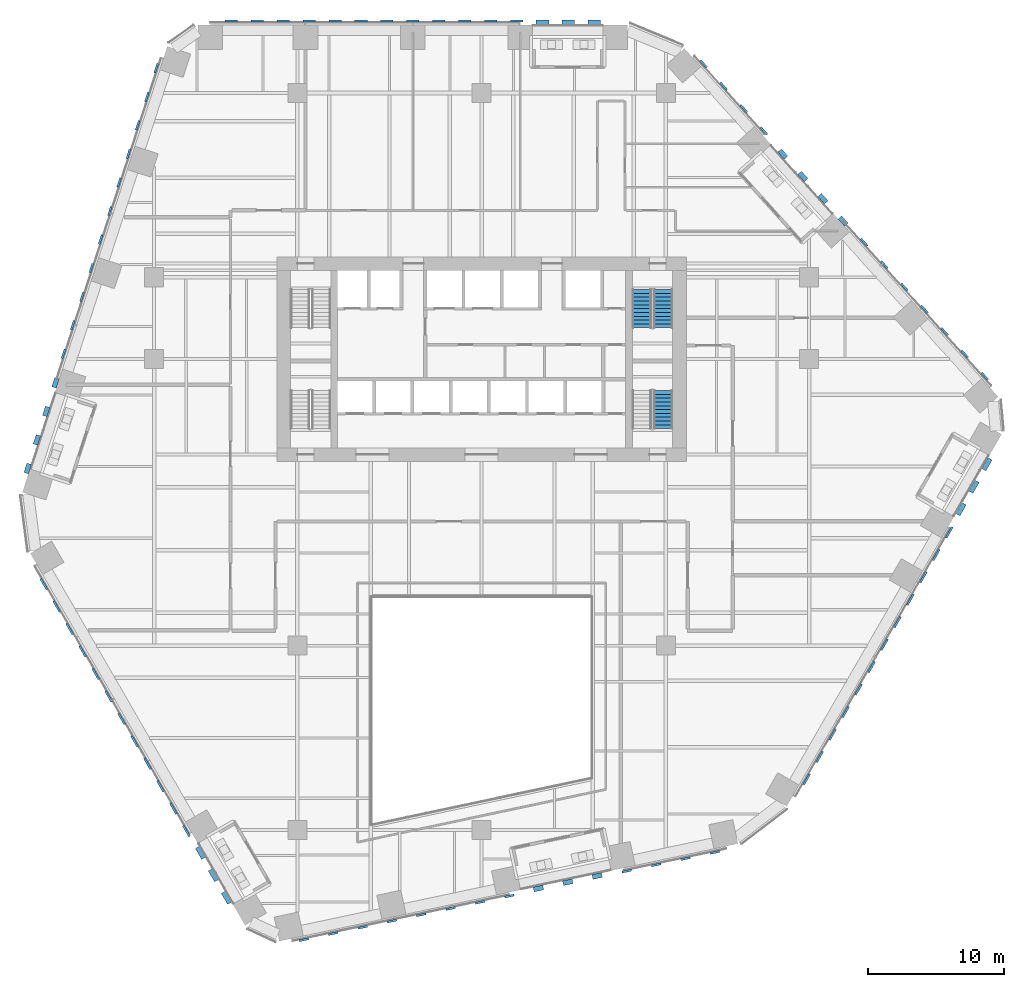
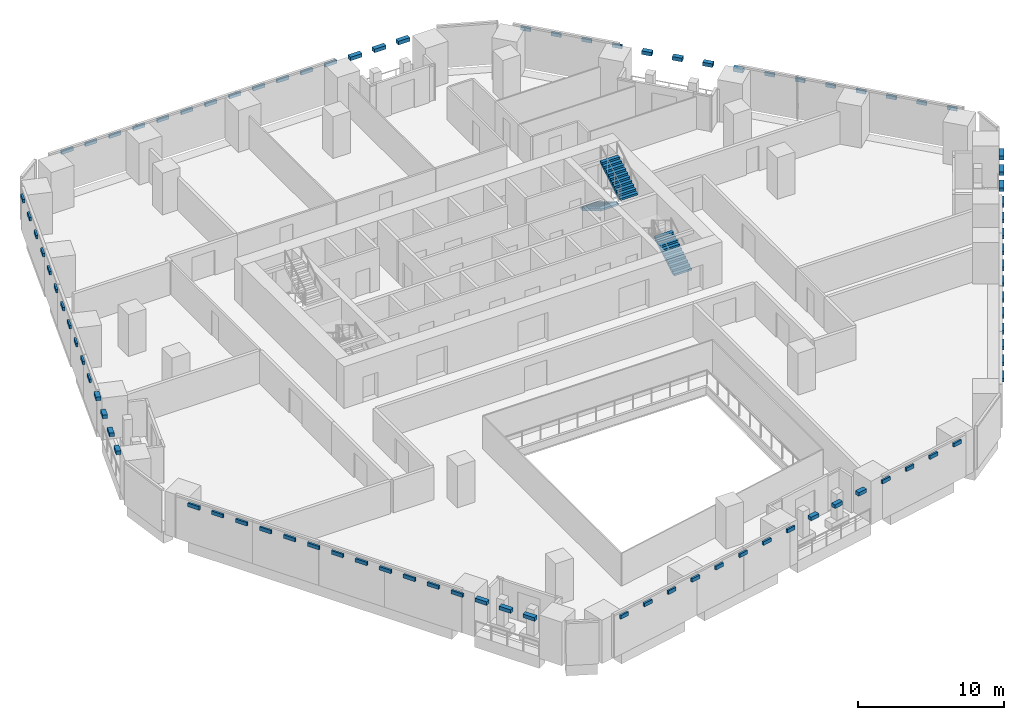
# One storey, part 26 of 31: 90 discrete accessories, 3 stair flights, 2 elements without a shape of their own.
"""IFC4 building model written with IfcOpenShell, lengths in metres."""

from ifc_helpers import new_model, si_unit, direction, frame, origin, origin_2d, place, context, subcontext, project, spatial, polyline, rectangle, outline, extrude, material, type_object, element, aggregate, save


model = new_model("IFC4")

# Units and contexts
model_context = context("Model", 3, precision=1e-05, world=origin(), true_north=direction((0.0, 1.0)))
body_context = subcontext(model_context, "Body", "Model", "MODEL_VIEW")
ifc_project = project(units=[si_unit("LENGTHUNIT", "METRE"), si_unit("AREAUNIT", "SQUARE_METRE"), si_unit("VOLUMEUNIT", "CUBIC_METRE"), si_unit("PLANEANGLEUNIT", "RADIAN"), si_unit("MASSUNIT", "GRAM", prefix="KILO")], contexts=[model_context])

# Site, building, storey
site_placement = place(None, origin())
site = spatial("IfcSite", under=ifc_project, at=site_placement, CompositionType="ELEMENT")
building_placement = place(site_placement, origin())
building = spatial("IfcBuilding", under=site, at=building_placement, Name="Isthmus Gate Tower", CompositionType="ELEMENT")
storey_placement = place(building_placement, frame((0.0, 0.0, 39.64990234375)))
storey = spatial("IfcBuildingStorey", under=building, at=storey_placement, Name="L07", CompositionType="ELEMENT", Elevation=39.64990234375)

# Stair, stair flights
ifc_material_1 = material(Name="Concrete f'c 40 MPa", Category="concrete")
stair_type = type_object("IfcStairType", Name="CORE STAIR 22 RISERS", PredefinedType="HALF_TURN_STAIR", material=ifc_material_1)
stair_1_placement = place(storey_placement, origin())
stair_1 = element("IfcStair", 1, at=stair_1_placement, inside=storey, type_object=stair_type, Name="L07 Exit Stair 2", PredefinedType="HALF_TURN_STAIR")
ifc_material_2 = material(Name="Concrete f'c 40 MPa", Category="concrete")
stair_flight_type = type_object("IfcStairFlightType", Name="STAIR FLIGHT RC 1400", PredefinedType="STRAIGHT", material=ifc_material_2)
stair_flight_1_placement = place(storey_placement, frame((11.75, 12.60009765625, 0.0), z_axis=(0.0, 0.0, 1.0), x_axis=(0.0, -1.0, 0.0)))
stair_flight_1 = element("IfcStairFlight", 2, at=stair_flight_1_placement, type_object=stair_flight_type, Name="ST2 flight 1", NumberOfRisers=11, NumberOfTreads=10, PredefinedType="STRAIGHT", RiserHeight=0.165909091, TreadLength=0.28, context=body_context, shape_type="SweptSolid", body=[
    extrude(outline(polyline([(0.0, 0.0), (0.0, 0.166015625), (0.280029296875, 0.166015625), (0.280029296875, 0.331787109375), (0.56005859375, 0.331787109375), (0.56005859375, 0.497802734375), (0.840087890625, 0.497802734375), (0.840087890625, 0.66357421875), (1.1201171875, 0.66357421875), (1.1201171875, 0.82958984375), (1.39990234375, 0.82958984375), (1.39990234375, 0.995361328125), (1.679931640625, 0.995361328125), (1.679931640625, 1.161376953125), (1.9599609375, 1.161376953125), (1.9599609375, 1.327392578125), (2.239990234375, 1.327392578125), (2.239990234375, 1.4931640625), (2.52001953125, 1.4931640625), (2.52001953125, 1.6591796875), (2.800048828125, 1.6591796875), (2.800048828125, 1.824951171875), (2.800048828125, 1.48486328125), (0.2939453125, 0.0), (0.0, 0.0)])), frame((0.0, 0.699951171875, 0.0), z_axis=(0.0, -1.0, 0.0), x_axis=(1.0, 0.0, 0.0)), (0.0, 0.0, 1.0), 1.39990234375),
])
stair_flight_2_placement = place(storey_placement, frame((13.300048828125, 9.800048828125, 1.8251953125), z_axis=(0.0, 0.0, 1.0), x_axis=(0.0, 1.0, 0.0)))
stair_flight_2 = element("IfcStairFlight", 3, at=stair_flight_2_placement, type_object=stair_flight_type, Name="ST2 flight 2", NumberOfRisers=11, NumberOfTreads=10, PredefinedType="STRAIGHT", RiserHeight=0.165909091, TreadLength=0.28, context=body_context, shape_type="SweptSolid", body=[
    extrude(outline(polyline([(0.0, 0.0), (0.0, 0.166015625), (0.280029296875, 0.166015625), (0.280029296875, 0.331787109375), (0.56005859375, 0.331787109375), (0.56005859375, 0.497802734375), (0.840087890625, 0.497802734375), (0.840087890625, 0.66357421875), (1.1201171875, 0.66357421875), (1.1201171875, 0.82958984375), (1.39990234375, 0.82958984375), (1.39990234375, 0.995361328125), (1.679931640625, 0.995361328125), (1.679931640625, 1.161376953125), (1.9599609375, 1.161376953125), (1.9599609375, 1.327392578125), (2.239990234375, 1.327392578125), (2.239990234375, 1.4931640625), (2.52001953125, 1.4931640625), (2.52001953125, 1.6591796875), (2.800048828125, 1.6591796875), (2.800048828125, 1.824951171875), (2.800048828125, 1.48486328125), (0.2939453125, 0.0), (0.0, 0.0)])), frame((0.0, 0.699951171875, 0.0), z_axis=(0.0, -1.0, 0.0), x_axis=(1.0, 0.0, 0.0)), (0.0, 0.0, 1.0), 1.39990234375),
])
aggregate(stair_1, [stair_flight_1, stair_flight_2])

# Stair, stair flight
stair_2_placement = place(storey_placement, origin())
stair_2 = element("IfcStair", 4, at=stair_2_placement, inside=storey, type_object=stair_type, Name="L07 Exit Stair 8", PredefinedType="HALF_TURN_STAIR")
stair_flight_3_placement = place(storey_placement, frame((13.300048828125, 2.39990234375, 0.0), z_axis=(0.0, 0.0, 1.0), x_axis=(0.0, 1.0, 0.0)))
stair_flight_3 = element("IfcStairFlight", 5, at=stair_flight_3_placement, type_object=stair_flight_type, Name="ST8 flight 1", NumberOfRisers=11, NumberOfTreads=10, PredefinedType="STRAIGHT", RiserHeight=0.165909091, TreadLength=0.28, context=body_context, shape_type="SweptSolid", body=[
    extrude(outline(polyline([(0.0, 0.0), (0.0, 0.166015625), (0.280029296875, 0.166015625), (0.280029296875, 0.331787109375), (0.56005859375, 0.331787109375), (0.56005859375, 0.497802734375), (0.840087890625, 0.497802734375), (0.840087890625, 0.66357421875), (1.1201171875, 0.66357421875), (1.1201171875, 0.82958984375), (1.39990234375, 0.82958984375), (1.39990234375, 0.995361328125), (1.679931640625, 0.995361328125), (1.679931640625, 1.161376953125), (1.9599609375, 1.161376953125), (1.9599609375, 1.327392578125), (2.239990234375, 1.327392578125), (2.239990234375, 1.4931640625), (2.52001953125, 1.4931640625), (2.52001953125, 1.6591796875), (2.800048828125, 1.6591796875), (2.800048828125, 1.824951171875), (2.800048828125, 1.48486328125), (0.2939453125, 0.0), (0.0, 0.0)])), frame((0.0, 0.699951171875, 0.0), z_axis=(0.0, -1.0, 0.0), x_axis=(1.0, 0.0, 0.0)), (0.0, 0.0, 1.0), 1.39990234375),
])
aggregate(stair_2, [stair_flight_3])

# Discrete accessories
ifc_material_3 = material(Name="Structural steel ASTM A572 Gr 50, white paint system", Category="steel")
discrete_accessory_type_1 = type_object("IfcDiscreteAccessoryType", Name="FIN BRACKET 712 X 150 X 300", PredefinedType="BRACKET", material=ifc_material_3)
for number, where, z_axis, x_axis, name in (
    (6, (-23.84033203125, 28.808349609375, 3.10009765625), (0.0, 0.0, 1.0), (-0.951056516295, 0.309016994375, 0.0), "FIN BRACKET"),
    (7, (-24.52001953125, 26.716064453125, 3.10009765625), (0.0, 0.0, 1.0), (-0.951056516295, 0.309016994375, 0.0), "FIN BRACKET"),
    (8, (-25.199951171875, 24.62353515625, 3.10009765625), (0.0, 0.0, 1.0), (-0.951056516295, 0.309016994375, 0.0), "FIN BRACKET"),
    (9, (-25.8798828125, 22.53125, 3.10009765625), (0.0, 0.0, 1.0), (-0.951056516295, 0.309016994375, 0.0), "FIN BRACKET"),
    (10, (-26.5595703125, 20.43896484375, 3.10009765625), (0.0, 0.0, 1.0), (-0.951056516295, 0.309016994375, 0.0), "FIN BRACKET"),
    (11, (-27.239501953125, 18.3466796875, 3.10009765625), (0.0, 0.0, 1.0), (-0.951056516295, 0.309016994375, 0.0), "FIN BRACKET"),
    (12, (-27.91943359375, 16.25439453125, 3.10009765625), (0.0, 0.0, 1.0), (-0.951056516295, 0.309016994375, 0.0), "FIN BRACKET"),
    (13, (-28.59912109375, 14.162109375, 3.10009765625), (0.0, 0.0, 1.0), (-0.951056516295, 0.309016994375, 0.0), "FIN BRACKET"),
    (14, (-29.279052734375, 12.06982421875, 3.10009765625), (0.0, 0.0, 1.0), (-0.951056516295, 0.309016994375, 0.0), "FIN BRACKET"),
    (15, (-29.958740234375, 9.977294921875, 3.10009765625), (0.0, 0.0, 1.0), (-0.951056516295, 0.309016994375, 0.0), "FIN BRACKET"),
    (16, (-30.638671875, 7.885009765625, 3.10009765625), (0.0, 0.0, 1.0), (-0.951056516295, 0.309016994375, 0.0), "FIN BRACKET"),
    (17, (-13.028564453125, -35.050537109375, 3.10009765625), (0.0, 0.0, 1.0), (0.207911690818, -0.978147600734, 0.0), "FIN BRACKET"),
    (18, (-10.876708984375, -34.593017578125, 3.10009765625), (0.0, 0.0, 1.0), (0.207911690818, -0.978147600734, 0.0), "FIN BRACKET"),
    (19, (-8.724609375, -34.1357421875, 3.10009765625), (0.0, 0.0, 1.0), (0.207911690818, -0.978147600734, 0.0), "FIN BRACKET"),
    (20, (-6.57275390625, -33.67822265625, 3.10009765625), (0.0, 0.0, 1.0), (0.207911690818, -0.978147600734, 0.0), "FIN BRACKET"),
    (21, (-4.4208984375, -33.220947265625, 3.10009765625), (0.0, 0.0, 1.0), (0.207911690818, -0.978147600734, 0.0), "FIN BRACKET"),
    (22, (-2.26904296875, -32.763427734375, 3.10009765625), (0.0, 0.0, 1.0), (0.207911690818, -0.978147600734, 0.0), "FIN BRACKET"),
    (23, (-0.116943359375, -32.305908203125, 3.10009765625), (0.0, 0.0, 1.0), (0.207911690818, -0.978147600734, 0.0), "FIN BRACKET"),
    (24, (2.034912109375, -31.8486328125, 3.10009765625), (0.0, 0.0, 1.0), (0.207911690818, -0.978147600734, 0.0), "FIN BRACKET"),
    (25, (10.642578125, -30.01904296875, 3.10009765625), (0.0, 0.0, 1.0), (0.207911690818, -0.978147600734, 0.0), "FIN BRACKET"),
    (26, (12.79443359375, -29.5615234375, 3.10009765625), (0.0, 0.0, 1.0), (0.207911690818, -0.978147600734, 0.0), "FIN BRACKET"),
    (27, (14.946533203125, -29.104248046875, 3.10009765625), (0.0, 0.0, 1.0), (0.207911690818, -0.978147600734, 0.0), "FIN BRACKET"),
    (28, (17.098388671875, -28.646728515625, 3.10009765625), (0.0, 0.0, 1.0), (0.207911690818, -0.978147600734, 0.0), "FIN BRACKET"),
    (29, (36.868896484375, 6.2421875, 3.10009765625), (0.0, 0.0, 1.0), (0.743144825477, 0.669130606359, 0.0), "FIN BRACKET"),
    (30, (35.396728515625, 7.876953125, 3.10009765625), (0.0, 0.0, 1.0), (0.743144825477, 0.669130606359, 0.0), "FIN BRACKET"),
    (31, (33.9248046875, 9.511962890625, 3.10009765625), (0.0, 0.0, 1.0), (0.743144825477, 0.669130606359, 0.0), "FIN BRACKET"),
    (32, (32.45263671875, 11.14697265625, 3.10009765625), (0.0, 0.0, 1.0), (0.743144825477, 0.669130606359, 0.0), "FIN BRACKET"),
    (33, (30.98046875, 12.78173828125, 3.10009765625), (0.0, 0.0, 1.0), (0.743144825477, 0.669130606359, 0.0), "FIN BRACKET"),
    (34, (29.508544921875, 14.416748046875, 3.10009765625), (0.0, 0.0, 1.0), (0.743144825477, 0.669130606359, 0.0), "FIN BRACKET"),
    (35, (28.036376953125, 16.0517578125, 3.10009765625), (0.0, 0.0, 1.0), (0.743144825477, 0.669130606359, 0.0), "FIN BRACKET"),
    (36, (20.676025390625, 24.226318359375, 3.10009765625), (0.0, 0.0, 1.0), (0.743144825477, 0.669130606359, 0.0), "FIN BRACKET"),
    (37, (19.203857421875, 25.861083984375, 3.10009765625), (0.0, 0.0, 1.0), (0.743144825477, 0.669130606359, 0.0), "FIN BRACKET"),
    (38, (17.731689453125, 27.49609375, 3.10009765625), (0.0, 0.0, 1.0), (0.743144825477, 0.669130606359, 0.0), "FIN BRACKET"),
    (39, (16.259765625, 29.131103515625, 3.10009765625), (0.0, 0.0, 1.0), (0.743144825477, 0.669130606359, 0.0), "FIN BRACKET"),
):
    element("IfcDiscreteAccessory", number, at=place(storey_placement, frame(where, z_axis=z_axis, x_axis=x_axis)), inside=storey, type_object=discrete_accessory_type_1, Name=name, PredefinedType="BRACKET", context=body_context, shape_type="SweptSolid", body=[
        extrude(rectangle(XDim=0.14990234375, YDim=0.71240234375, at=origin_2d()), origin(), (0.0, 0.0, 1.0), 0.300048828125),
    ])
ifc_material_4 = material(Name="Structural steel ASTM A572 Gr 50, white paint system", Category="steel")
discrete_accessory_type_2 = type_object("IfcDiscreteAccessoryType", Name="FIN BRACKET 712 X 350 X 300", PredefinedType="BRACKET", material=ifc_material_4)
for number, where, z_axis, x_axis, name in (
    (40, (-31.223388671875, 5.76171875, 3.10009765625), (0.0, 0.0, 1.0), (-0.951056516295, 0.309016994375, 0.0), "FIN BRACKET"),
    (41, (-31.9033203125, 3.66943359375, 3.10009765625), (0.0, 0.0, 1.0), (-0.951056516295, 0.309016994375, 0.0), "FIN BRACKET"),
    (42, (-32.5830078125, 1.5771484375, 3.10009765625), (0.0, 0.0, 1.0), (-0.951056516295, 0.309016994375, 0.0), "FIN BRACKET"),
    (43, (-33.262939453125, -0.51513671875, 3.10009765625), (0.0, 0.0, 1.0), (-0.951056516295, 0.309016994375, 0.0), "FIN BRACKET"),
    (44, (4.166015625, -31.29345703125, 3.10009765625), (0.0, 0.0, 1.0), (0.207911690818, -0.978147600734, 0.0), "FIN BRACKET"),
    (45, (6.31787109375, -30.8359375, 3.10009765625), (0.0, 0.0, 1.0), (0.207911690818, -0.978147600734, 0.0), "FIN BRACKET"),
    (46, (8.469970703125, -30.378662109375, 3.10009765625), (0.0, 0.0, 1.0), (0.207911690818, -0.978147600734, 0.0), "FIN BRACKET"),
    (47, (26.489990234375, 17.61962890625, 3.10009765625), (0.0, 0.0, 1.0), (0.743144825477, 0.669130606359, 0.0), "FIN BRACKET"),
    (48, (25.017822265625, 19.254638671875, 3.10009765625), (0.0, 0.0, 1.0), (0.743144825477, 0.669130606359, 0.0), "FIN BRACKET"),
    (49, (23.545654296875, 20.889404296875, 3.10009765625), (0.0, 0.0, 1.0), (0.743144825477, 0.669130606359, 0.0), "FIN BRACKET"),
    (50, (22.07373046875, 22.5244140625, 3.10009765625), (0.0, 0.0, 1.0), (0.743144825477, 0.669130606359, 0.0), "FIN BRACKET"),
):
    element("IfcDiscreteAccessory", number, at=place(storey_placement, frame(where, z_axis=z_axis, x_axis=x_axis)), inside=storey, type_object=discrete_accessory_type_2, Name=name, PredefinedType="BRACKET", context=body_context, shape_type="SweptSolid", body=[
        extrude(rectangle(XDim=0.35009765625, YDim=0.71240234375, at=origin_2d()), origin(), (0.0, 0.0, 1.0), 0.300048828125),
    ])
ifc_material_5 = material(Name="Structural steel ASTM A572 Gr 50, white paint system", Category="steel")
discrete_accessory_type_3 = type_object("IfcDiscreteAccessoryType", Name="FIN BRACKET 924 X 150 X 300", PredefinedType="BRACKET", material=ifc_material_5)
for number, where, z_axis, x_axis, name in (
    (51, (2.562744140625, 32.27490234375, 3.10009765625), (0.0, 0.0, 1.0), (0.0, 1.0, 0.0), "FIN BRACKET"),
    (52, (0.662841796875, 32.27490234375, 3.10009765625), (0.0, 0.0, 1.0), (0.0, 1.0, 0.0), "FIN BRACKET"),
    (53, (-1.2373046875, 32.27490234375, 3.10009765625), (0.0, 0.0, 1.0), (0.0, 1.0, 0.0), "FIN BRACKET"),
    (54, (-3.13720703125, 32.27490234375, 3.10009765625), (0.0, 0.0, 1.0), (0.0, 1.0, 0.0), "FIN BRACKET"),
    (55, (-5.037109375, 32.27490234375, 3.10009765625), (0.0, 0.0, 1.0), (0.0, 1.0, 0.0), "FIN BRACKET"),
    (56, (-6.937255859375, 32.27490234375, 3.10009765625), (0.0, 0.0, 1.0), (0.0, 1.0, 0.0), "FIN BRACKET"),
    (57, (-8.837158203125, 32.27490234375, 3.10009765625), (0.0, 0.0, 1.0), (0.0, 1.0, 0.0), "FIN BRACKET"),
    (58, (-10.7373046875, 32.27490234375, 3.10009765625), (0.0, 0.0, 1.0), (0.0, 1.0, 0.0), "FIN BRACKET"),
    (59, (-12.63720703125, 32.27490234375, 3.10009765625), (0.0, 0.0, 1.0), (0.0, 1.0, 0.0), "FIN BRACKET"),
    (60, (-14.537109375, 32.27490234375, 3.10009765625), (0.0, 0.0, 1.0), (0.0, 1.0, 0.0), "FIN BRACKET"),
    (61, (-16.437255859375, 32.27490234375, 3.10009765625), (0.0, 0.0, 1.0), (0.0, 1.0, 0.0), "FIN BRACKET"),
    (62, (-18.337158203125, 32.27490234375, 3.10009765625), (0.0, 0.0, 1.0), (0.0, 1.0, 0.0), "FIN BRACKET"),
    (63, (-32.082275390625, -8.981689453125, 3.10009765625), (0.0, 0.0, 1.0), (-0.866025403784, -0.5, 0.0), "FIN BRACKET"),
    (64, (-31.13232421875, -10.627197265625, 3.10009765625), (0.0, 0.0, 1.0), (-0.866025403784, -0.5, 0.0), "FIN BRACKET"),
    (65, (-30.182373046875, -12.272705078125, 3.10009765625), (0.0, 0.0, 1.0), (-0.866025403784, -0.5, 0.0), "FIN BRACKET"),
    (66, (-29.232421875, -13.91796875, 3.10009765625), (0.0, 0.0, 1.0), (-0.866025403784, -0.5, 0.0), "FIN BRACKET"),
    (67, (-28.282470703125, -15.5634765625, 3.10009765625), (0.0, 0.0, 1.0), (-0.866025403784, -0.5, 0.0), "FIN BRACKET"),
    (68, (-27.332275390625, -17.208984375, 3.10009765625), (0.0, 0.0, 1.0), (-0.866025403784, -0.5, 0.0), "FIN BRACKET"),
    (69, (-26.38232421875, -18.8544921875, 3.10009765625), (0.0, 0.0, 1.0), (-0.866025403784, -0.5, 0.0), "FIN BRACKET"),
    (70, (-25.432373046875, -20.499755859375, 3.10009765625), (0.0, 0.0, 1.0), (-0.866025403784, -0.5, 0.0), "FIN BRACKET"),
    (71, (-24.482421875, -22.145263671875, 3.10009765625), (0.0, 0.0, 1.0), (-0.866025403784, -0.5, 0.0), "FIN BRACKET"),
    (72, (-23.532470703125, -23.790771484375, 3.10009765625), (0.0, 0.0, 1.0), (-0.866025403784, -0.5, 0.0), "FIN BRACKET"),
    (73, (-22.582275390625, -25.436279296875, 3.10009765625), (0.0, 0.0, 1.0), (-0.866025403784, -0.5, 0.0), "FIN BRACKET"),
    (74, (-21.63232421875, -27.08154296875, 3.10009765625), (0.0, 0.0, 1.0), (-0.866025403784, -0.5, 0.0), "FIN BRACKET"),
    (75, (23.819580078125, -23.293212890625, 3.10009765625), (0.0, 0.0, 1.0), (0.866025403784, -0.5, 0.0), "FIN BRACKET"),
    (76, (24.76953125, -21.64794921875, 3.10009765625), (0.0, 0.0, 1.0), (0.866025403784, -0.5, 0.0), "FIN BRACKET"),
    (77, (25.719482421875, -20.00244140625, 3.10009765625), (0.0, 0.0, 1.0), (0.866025403784, -0.5, 0.0), "FIN BRACKET"),
    (78, (26.669677734375, -18.35693359375, 3.10009765625), (0.0, 0.0, 1.0), (0.866025403784, -0.5, 0.0), "FIN BRACKET"),
    (79, (27.61962890625, -16.71142578125, 3.10009765625), (0.0, 0.0, 1.0), (0.866025403784, -0.5, 0.0), "FIN BRACKET"),
    (80, (28.569580078125, -15.066162109375, 3.10009765625), (0.0, 0.0, 1.0), (0.866025403784, -0.5, 0.0), "FIN BRACKET"),
    (81, (29.51953125, -13.420654296875, 3.10009765625), (0.0, 0.0, 1.0), (0.866025403784, -0.5, 0.0), "FIN BRACKET"),
    (82, (30.469482421875, -11.775146484375, 3.10009765625), (0.0, 0.0, 1.0), (0.866025403784, -0.5, 0.0), "FIN BRACKET"),
    (83, (31.419677734375, -10.129638671875, 3.10009765625), (0.0, 0.0, 1.0), (0.866025403784, -0.5, 0.0), "FIN BRACKET"),
    (84, (32.36962890625, -8.484375, 3.10009765625), (0.0, 0.0, 1.0), (0.866025403784, -0.5, 0.0), "FIN BRACKET"),
    (85, (33.319580078125, -6.8388671875, 3.10009765625), (0.0, 0.0, 1.0), (0.866025403784, -0.5, 0.0), "FIN BRACKET"),
    (86, (34.26953125, -5.193359375, 3.10009765625), (0.0, 0.0, 1.0), (0.866025403784, -0.5, 0.0), "FIN BRACKET"),
):
    element("IfcDiscreteAccessory", number, at=place(storey_placement, frame(where, z_axis=z_axis, x_axis=x_axis)), inside=storey, type_object=discrete_accessory_type_3, Name=name, PredefinedType="BRACKET", context=body_context, shape_type="SweptSolid", body=[
        extrude(rectangle(XDim=0.14990234375, YDim=0.923828125, at=origin_2d()), origin(), (0.0, 0.0, 1.0), 0.300048828125),
    ])
ifc_material_6 = material(Name="Structural steel ASTM A572 Gr 50, white paint system", Category="steel")
discrete_accessory_type_4 = type_object("IfcDiscreteAccessoryType", Name="FIN BRACKET 924 X 350 X 300", PredefinedType="BRACKET", material=ifc_material_6)
for number, where, z_axis, x_axis, name in (
    (87, (8.2626953125, 32.175048828125, 3.10009765625), (0.0, 0.0, 1.0), (0.0, 1.0, 0.0), "FIN BRACKET"),
    (88, (6.36279296875, 32.175048828125, 3.10009765625), (0.0, 0.0, 1.0), (0.0, 1.0, 0.0), "FIN BRACKET"),
    (89, (4.462890625, 32.175048828125, 3.10009765625), (0.0, 0.0, 1.0), (0.0, 1.0, 0.0), "FIN BRACKET"),
    (90, (-20.595703125, -28.677001953125, 3.10009765625), (0.0, 0.0, 1.0), (-0.866025403784, -0.5, 0.0), "FIN BRACKET"),
    (91, (-19.645751953125, -30.322509765625, 3.10009765625), (0.0, 0.0, 1.0), (-0.866025403784, -0.5, 0.0), "FIN BRACKET"),
    (92, (-18.69580078125, -31.968017578125, 3.10009765625), (0.0, 0.0, 1.0), (-0.866025403784, -0.5, 0.0), "FIN BRACKET"),
    (93, (35.133056640625, -3.498046875, 3.10009765625), (0.0, 0.0, 1.0), (0.866025403784, -0.5, 0.0), "FIN BRACKET"),
    (94, (36.0830078125, -1.8525390625, 3.10009765625), (0.0, 0.0, 1.0), (0.866025403784, -0.5, 0.0), "FIN BRACKET"),
    (95, (37.032958984375, -0.20703125, 3.10009765625), (0.0, 0.0, 1.0), (0.866025403784, -0.5, 0.0), "FIN BRACKET"),
):
    element("IfcDiscreteAccessory", number, at=place(storey_placement, frame(where, z_axis=z_axis, x_axis=x_axis)), inside=storey, type_object=discrete_accessory_type_4, Name=name, PredefinedType="BRACKET", context=body_context, shape_type="SweptSolid", body=[
        extrude(rectangle(XDim=0.35009765625, YDim=0.923828125, at=origin_2d()), origin(), (0.0, 0.0, 1.0), 0.300048828125),
    ])

save(model, "model.ifc")
